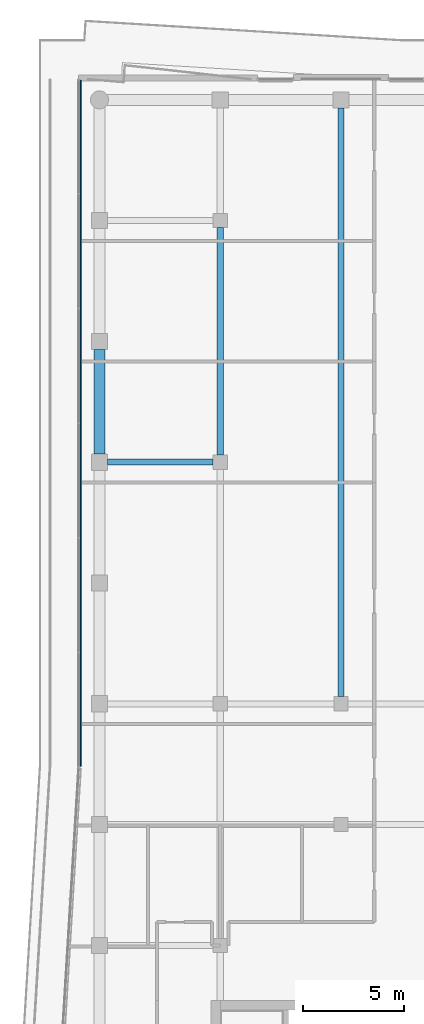
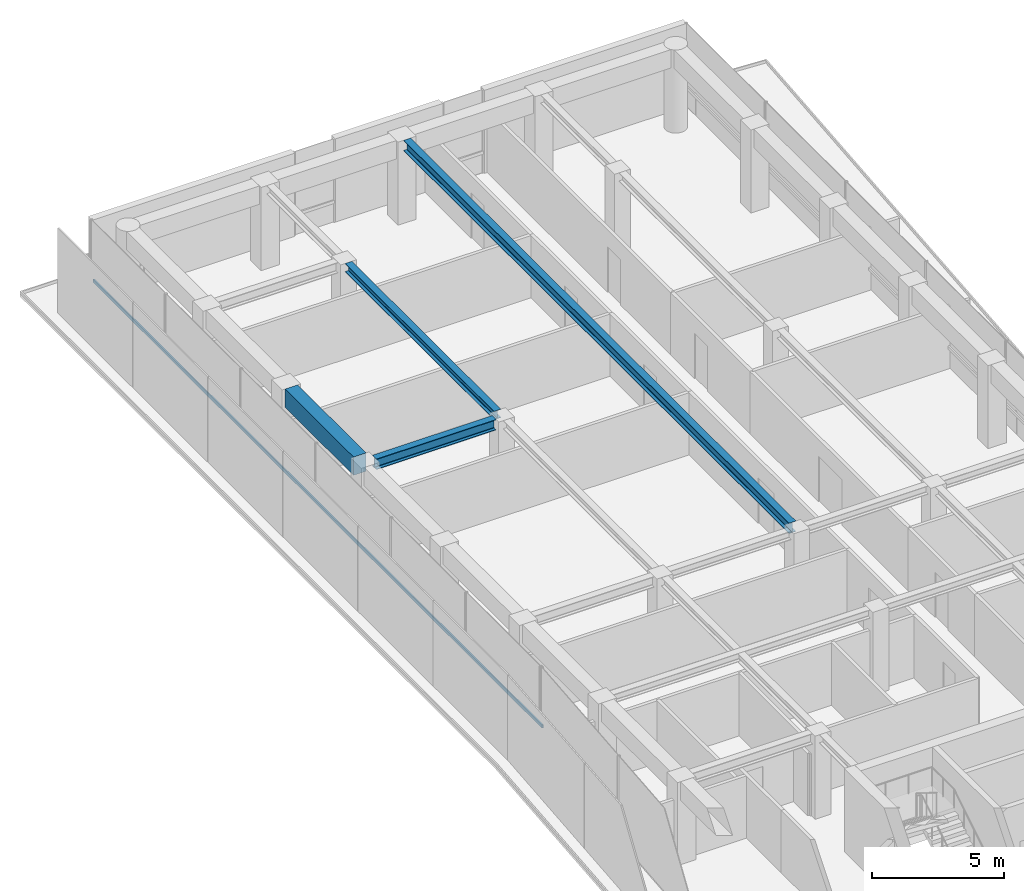
# One storey, part 11 of 19: 4 beams, 1 member, 1 element without a shape of its own.
"""IFC4 building model written with IfcOpenShell, lengths in metres."""

from ifc_helpers import new_model, si_unit, direction, frame, origin, origin_2d, place, context, subcontext, project, spatial, rectangle, i_section, extrude, material, layer, layer_set, material_profile, profile_set, type_object, element, aggregate, save


model = new_model("IFC4")

# Units and contexts
model_context = context("Model", 3, precision=1e-05, world=origin(), true_north=direction((0.0, 1.0)))
body_context = subcontext(model_context, "Body", "Model", "MODEL_VIEW")
ifc_project = project(units=[si_unit("LENGTHUNIT", "METRE"), si_unit("AREAUNIT", "SQUARE_METRE"), si_unit("VOLUMEUNIT", "CUBIC_METRE"), si_unit("PLANEANGLEUNIT", "RADIAN"), si_unit("MASSUNIT", "GRAM", prefix="KILO")], contexts=[model_context])

# Site, building, storey
site_placement = place(None, origin())
site = spatial("IfcSite", under=ifc_project, at=site_placement, CompositionType="ELEMENT")
building_placement = place(site_placement, origin())
building = spatial("IfcBuilding", under=site, at=building_placement, Name="Welwitschia Terrace Campus", CompositionType="ELEMENT")
storey_placement = place(building_placement, frame((0.0, 0.0, 243.199951171875)))
storey = spatial("IfcBuildingStorey", under=building, at=storey_placement, Name="L54", CompositionType="ELEMENT", Elevation=243.199951171875)

# Beams
ifc_material_1 = material(Name="Steel S355", Category="steel")
ifc_material_profile_1 = material_profile(ifc_material_1, i_section(OverallWidth=0.300048828125, OverallDepth=0.389892578125, WebThickness=0.010986328125, FlangeThickness=0.01904296875, FilletRadius=0.027099609375, at=origin_2d()))
ifc_profile_set_1 = profile_set([ifc_material_profile_1], Name="Steel S355")
beam_type_1 = type_object("IfcBeamType", Name="Interior girder HE 400 A", PredefinedType="BEAM", material=ifc_profile_set_1)
beam_1_placement = place(storey_placement, frame((6.0, 52.3505859375, 3.655029296875), z_axis=(0.0, 1.0, 0.0), x_axis=(-1.0, 0.0, 0.0)))
element("IfcBeam", 1, at=beam_1_placement, inside=storey, type_object=beam_type_1, Name="Girder GB5", PredefinedType="BEAM", context=body_context, shape_type="SweptSolid", body=[
    extrude(i_section(OverallWidth=0.300048828125, OverallDepth=0.389892578125, WebThickness=0.010986328125, FlangeThickness=0.01904296875, FilletRadius=0.027099609375, at=origin_2d()), origin(), (0.0, 0.0, 1.0), 11.298828125),
])
ifc_material_2 = material(Name="Steel S355", Category="steel")
ifc_material_profile_2 = material_profile(ifc_material_2, i_section(OverallWidth=0.300048828125, OverallDepth=0.489990234375, WebThickness=0.011962890625, FlangeThickness=0.02294921875, FilletRadius=0.027099609375, at=origin_2d()))
ifc_profile_set_2 = profile_set([ifc_material_profile_2], Name="Steel S355")
beam_type_2 = type_object("IfcBeamType", Name="Primary beam HE 500 A", PredefinedType="BEAM", material=ifc_profile_set_2)
beam_2_placement = place(storey_placement, frame((12.0, 69.599609375, 3.60498046875), z_axis=(0.0, -1.0, 0.0), x_axis=(1.0, 0.0, 0.0)))
element("IfcBeam", 2, at=beam_2_placement, inside=storey, type_object=beam_type_2, Name="Primary beam PB5", PredefinedType="BEAM", context=body_context, shape_type="SweptSolid", body=[
    extrude(i_section(OverallWidth=0.300048828125, OverallDepth=0.489990234375, WebThickness=0.011962890625, FlangeThickness=0.02294921875, FilletRadius=0.027099609375, at=origin_2d()), origin(), (0.0, 0.0, 1.0), 29.2490234375),
])
beam_3_placement = place(storey_placement, frame((0.400390625, 52.0, 3.60498046875), z_axis=(1.0, 0.0, 0.0), x_axis=(0.0, 1.0, 0.0)))
element("IfcBeam", 3, at=beam_3_placement, inside=storey, type_object=beam_type_2, Name="Primary beam PB5", PredefinedType="BEAM", context=body_context, shape_type="SweptSolid", body=[
    extrude(i_section(OverallWidth=0.300048828125, OverallDepth=0.489990234375, WebThickness=0.011962890625, FlangeThickness=0.02294921875, FilletRadius=0.027099609375, at=origin_2d()), origin(), (0.0, 0.0, 1.0), 5.2490234375),
])
ifc_material_3 = material(Name="Concrete C50/60", Category="concrete")
ifc_material_profile_3 = material_profile(ifc_material_3, rectangle(XDim=0.550048828125, YDim=0.85009765625, at=origin_2d()))
ifc_profile_set_3 = profile_set([ifc_material_profile_3], Name="Concrete C50/60")
beam_type_3 = type_object("IfcBeamType", Name="Ring spandrel 550x850", PredefinedType="SPANDREL", material=ifc_profile_set_3)
beam_4_placement = place(storey_placement, frame((0.0, 57.599609375, 3.425048828125), z_axis=(0.0, -1.0, 0.0), x_axis=(1.0, 0.0, 0.0)))
element("IfcBeam", 4, at=beam_4_placement, inside=storey, type_object=beam_type_3, Name="Spandrel SP3", PredefinedType="SPANDREL", context=body_context, shape_type="SweptSolid", body=[
    extrude(rectangle(XDim=0.550048828125, YDim=0.85009765625, at=origin_2d()), origin(), (0.0, 0.0, 1.0), 5.19921875),
])

# Curtain wall, member
ifc_material_4 = material(Name="Bronze anodised aluminium", Category="aluminium")
ifc_layer = layer(ifc_material_4, 0.1201171875)
ifc_layer_set = layer_set([ifc_layer], Name="Bronze anodised aluminium")
curtain_wall_type = type_object("IfcCurtainWallType", Name="Curtain wall CW2 tower 6000", PredefinedType="NOTDEFINED", material=ifc_layer_set)
curtain_wall_placement = place(storey_placement, origin())
curtain_wall = element("IfcCurtainWall", 5, at=curtain_wall_placement, inside=storey, type_object=curtain_wall_type, Name="CW L54.8.0", PredefinedType="NOTDEFINED")
ifc_material_5 = material(Name="Bronze anodised aluminium", Category="aluminium")
ifc_material_profile_4 = material_profile(ifc_material_5, rectangle(XDim=0.06005859375, YDim=0.14990234375, at=origin_2d()))
ifc_profile_set_4 = profile_set([ifc_material_profile_4], Name="Bronze anodised aluminium")
member_type = type_object("IfcMemberType", Name="Transom 60x150", PredefinedType="USERDEFINED", material=ifc_profile_set_4)
member_placement = place(storey_placement, frame((-0.93994140625, 70.969970703125, 1.0), z_axis=(0.0, -1.0, 0.0), x_axis=(1.0, 0.0, 0.0)))
member = element("IfcMember", 6, at=member_placement, type_object=member_type, Name="Transom L54.8.0", ObjectType="TRANSOM", PredefinedType="USERDEFINED", context=body_context, shape_type="SweptSolid", body=[
    extrude(rectangle(XDim=0.06005859375, YDim=0.14990234375, at=origin_2d()), origin(), (0.0, 0.0, 1.0), 34.0634765625),
])
aggregate(curtain_wall, [member])

save(model, "model.ifc")
